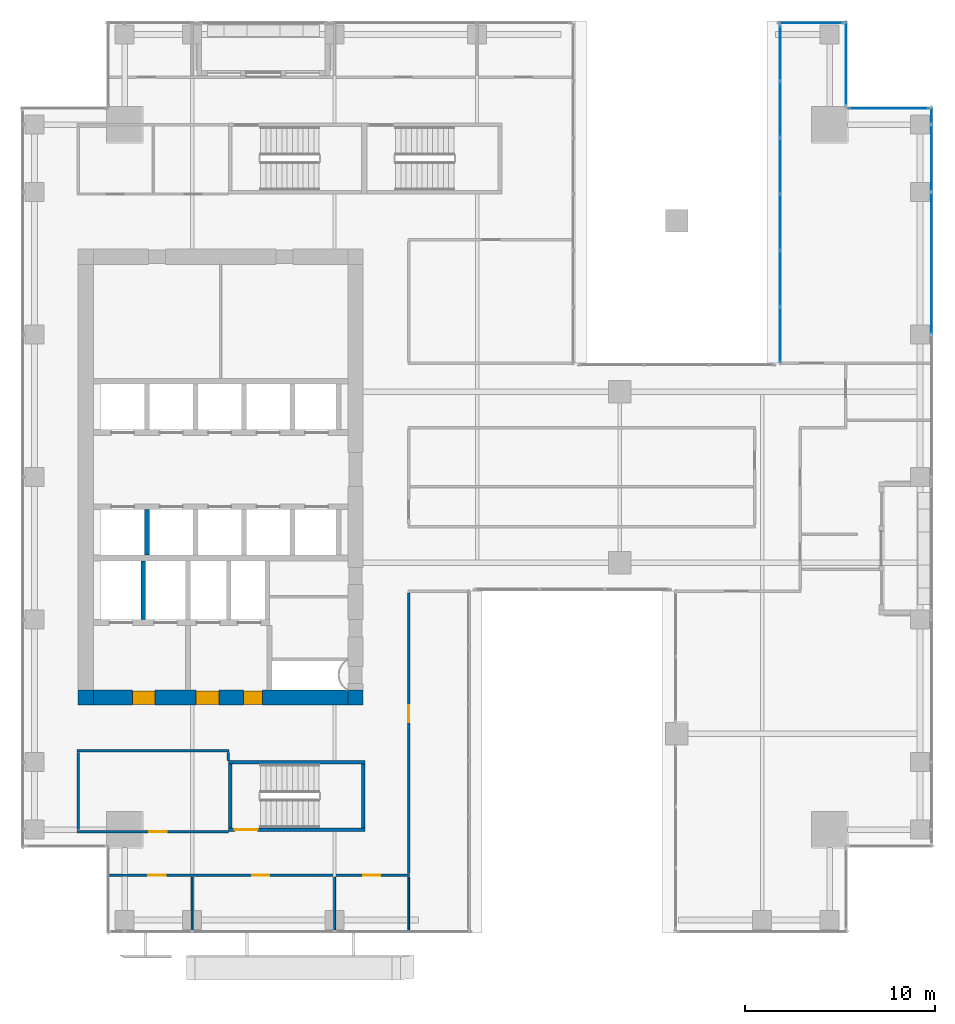
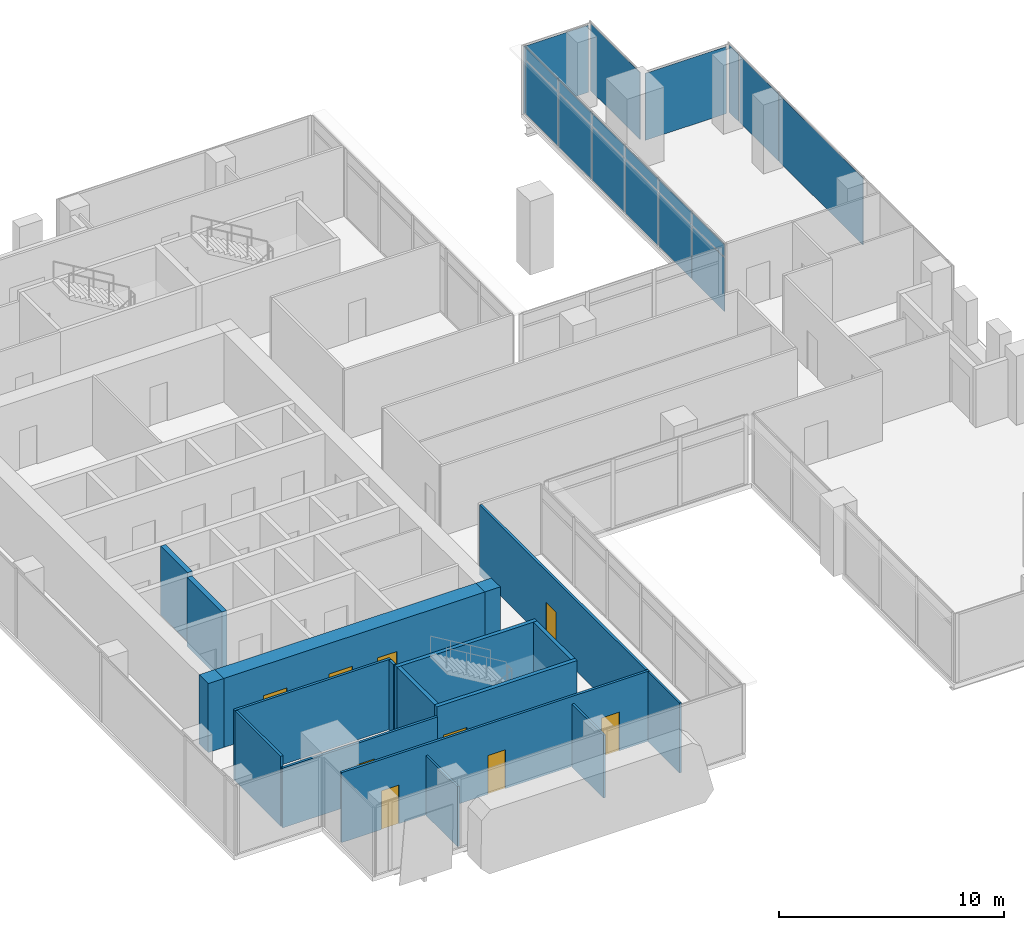
# One storey, part 32 of 38: 18 plates, 18 walls, 9 doors, 9 openings, 5 elements without a shape of their own.
"""IFC4 building model written with IfcOpenShell, lengths in metres."""

from ifc_helpers import new_model, si_unit, direction, frame, frame_2d, origin, origin_2d, place, context, subcontext, project, spatial, rectangle, extrude, source, transform, mapped, material, layer, layer_set, type_object, element, fill, aggregate, save


model = new_model("IFC4")

# Units and contexts
model_context = context("Model", 3, precision=1e-05, world=origin(), true_north=direction((0.0, 1.0)))
body_context = subcontext(model_context, "Body", "Model", "MODEL_VIEW")
ifc_project = project(units=[si_unit("LENGTHUNIT", "METRE"), si_unit("AREAUNIT", "SQUARE_METRE"), si_unit("VOLUMEUNIT", "CUBIC_METRE"), si_unit("PLANEANGLEUNIT", "RADIAN"), si_unit("MASSUNIT", "GRAM", prefix="KILO")], contexts=[model_context])

# Site, building, storey
site_placement = place(None, origin())
site = spatial("IfcSite", under=ifc_project, at=site_placement, CompositionType="ELEMENT")
building_placement = place(site_placement, origin())
building = spatial("IfcBuilding", under=site, at=building_placement, Name="Khomas Fold Tower", CompositionType="ELEMENT")
storey_placement = place(building_placement, frame((0.0, 0.0, 172.699951171875)))
storey = spatial("IfcBuildingStorey", under=building, at=storey_placement, Name="L37", CompositionType="ELEMENT", Elevation=172.699951171875)

# Curtain wall, plate
ifc_material_1 = material(Name="Aluminium framed double glazing", Category="aluminium")
curtain_wall_type_1 = type_object("IfcCurtainWallType", Name="SK-Unitised clear-glass wall, office floors CW2", PredefinedType="NOTDEFINED", material=ifc_material_1)
curtain_wall_1_placement = place(storey_placement, origin())
curtain_wall_1 = element("IfcCurtainWall", 1, at=curtain_wall_1_placement, inside=storey, type_object=curtain_wall_type_1, Name="CW2 corner return L37 10", PredefinedType="NOTDEFINED")
ifc_material_2 = material(Name="Clear double glazed unit")
ifc_layer_1 = layer(ifc_material_2, 0.030029296875)
ifc_layer_set_1 = layer_set([ifc_layer_1], Name="Clear double glazed unit")
plate_type_1 = type_object("IfcPlateType", Name="SK-Unitised clear-glass wall, office floors glass panel CW2-P", PredefinedType="CURTAIN_PANEL", material=ifc_layer_set_1)
shared_shape_1 = source(origin(), body_context, "Body", "SweptSolid", [
    extrude(rectangle(XDim=4.3798828125, YDim=0.030029296875, at=origin_2d()), origin(), (0.0, 0.0, 1.0), 3.639892578125),
])
plate_1_placement = place(storey_placement, frame((46.39990234375, 48.75, 0.0), z_axis=(0.0, 0.0, 1.0), x_axis=(0.0, 1.0, 0.0)))
plate_1 = element("IfcPlate", 2, at=plate_1_placement, type_object=plate_type_1, Name="CW2 glass panel 1", PredefinedType="CURTAIN_PANEL", context=body_context, shape_type="MappedRepresentation", body=[
    mapped(shared_shape_1, transform((0.0, 0.0, 0.0))),
])
aggregate(curtain_wall_1, [plate_1])

# Curtain wall, plates
curtain_wall_2_placement = place(storey_placement, origin())
curtain_wall_2 = element("IfcCurtainWall", 3, at=curtain_wall_2_placement, inside=storey, type_object=curtain_wall_type_1, Name="CW2 run L37 08-1", PredefinedType="NOTDEFINED")
shared_shape_2 = source(origin(), body_context, "Body", "SweptSolid", [
    extrude(rectangle(XDim=3.489990234375, YDim=0.030029296875, at=origin_2d()), origin(), (0.0, 0.0, 1.0), 3.639892578125),
])
plate_2_placement = place(storey_placement, frame((50.89990234375, 43.77490234375, 0.0), z_axis=(0.0, 0.0, 1.0), x_axis=(0.0, 1.0, 0.0)))
plate_2 = element("IfcPlate", 4, at=plate_2_placement, type_object=plate_type_1, Name="CW2 glass panel 4", PredefinedType="CURTAIN_PANEL", context=body_context, shape_type="MappedRepresentation", body=[
    mapped(shared_shape_2, transform((0.0, 0.0, 0.0))),
])
shared_shape_3 = source(origin(), body_context, "Body", "SweptSolid", [
    extrude(rectangle(XDim=7.43994140625, YDim=0.030029296875, at=origin_2d()), origin(), (0.0, 0.0, 1.0), 3.639892578125),
])
plate_3_placement = place(storey_placement, frame((50.89990234375, 38.25, 0.0), z_axis=(0.0, 0.0, 1.0), x_axis=(0.0, 1.0, 0.0)))
plate_3 = element("IfcPlate", 5, at=plate_3_placement, type_object=plate_type_1, Name="CW2 glass panel 3", PredefinedType="CURTAIN_PANEL", context=body_context, shape_type="MappedRepresentation", body=[
    mapped(shared_shape_3, transform((0.0, 0.0, 0.0))),
])

# Curtain wall, plate
curtain_wall_3_placement = place(storey_placement, origin())
curtain_wall_3 = element("IfcCurtainWall", 6, at=curtain_wall_3_placement, inside=storey, type_object=curtain_wall_type_1, Name="CW2 corner return L37 09", PredefinedType="NOTDEFINED")
shared_shape_4 = source(origin(), body_context, "Body", "SweptSolid", [
    extrude(rectangle(XDim=4.179931640625, YDim=0.030029296875, at=origin_2d()), origin(), (0.0, 0.0, 1.0), 3.639892578125),
])
plate_4_placement = place(storey_placement, frame((48.64990234375, 46.39990234375, 0.0), z_axis=(0.0, 0.0, 1.0), x_axis=(-1.0, 0.0, 0.0)))
plate_4 = element("IfcPlate", 7, at=plate_4_placement, type_object=plate_type_1, Name="CW2 glass panel 1", PredefinedType="CURTAIN_PANEL", context=body_context, shape_type="MappedRepresentation", body=[
    mapped(shared_shape_4, transform((0.0, 0.0, 0.0))),
])
aggregate(curtain_wall_3, [plate_4])

# Plate
shared_shape_5 = source(origin(), body_context, "Body", "SweptSolid", [
    extrude(rectangle(XDim=0.860107421875, YDim=0.030029296875, at=origin_2d()), origin(), (0.0, 0.0, 1.0), 3.639892578125),
])
plate_5_placement = place(storey_placement, frame((50.89990234375, 46.010009765625, 0.0), z_axis=(0.0, 0.0, 1.0), x_axis=(0.0, 1.0, 0.0)))
plate_5 = element("IfcPlate", 8, at=plate_5_placement, type_object=plate_type_1, Name="CW2 glass panel 5", PredefinedType="CURTAIN_PANEL", context=body_context, shape_type="MappedRepresentation", body=[
    mapped(shared_shape_5, transform((0.0, 0.0, 0.0))),
])

aggregate(curtain_wall_2, [plate_3, plate_2, plate_5])

# Curtain wall, plate
curtain_wall_4_placement = place(storey_placement, origin())
curtain_wall_4 = element("IfcCurtainWall", 9, at=curtain_wall_4_placement, inside=storey, type_object=curtain_wall_type_1, Name="CW2 corner return L37 11", PredefinedType="NOTDEFINED")
shared_shape_6 = source(origin(), body_context, "Body", "SweptSolid", [
    extrude(rectangle(XDim=3.330078125, YDim=0.030029296875, at=origin_2d()), origin(), (0.0, 0.0, 1.0), 3.639892578125),
])
plate_6_placement = place(storey_placement, frame((44.574951171875, 50.89990234375, 0.0), z_axis=(0.0, 0.0, 1.0), x_axis=(-1.0, 0.0, 0.0)))
plate_6 = element("IfcPlate", 10, at=plate_6_placement, type_object=plate_type_1, Name="CW2 glass panel 1", PredefinedType="CURTAIN_PANEL", context=body_context, shape_type="MappedRepresentation", body=[
    mapped(shared_shape_6, transform((0.0, 0.0, 0.0))),
])
aggregate(curtain_wall_4, [plate_6])

# Curtain wall, plates
ifc_material_3 = material(Name="Aluminium framed double glazing", Category="aluminium")
curtain_wall_type_2 = type_object("IfcCurtainWallType", Name="Notch glazing GN-CW", PredefinedType="NOTDEFINED", material=ifc_material_3)
curtain_wall_5_placement = place(storey_placement, origin())
curtain_wall_5 = element("IfcCurtainWall", 11, at=curtain_wall_5_placement, inside=storey, type_object=curtain_wall_type_2, Name="Notch glazing run", PredefinedType="NOTDEFINED")
ifc_material_4 = material(Name="Double glazed unit")
ifc_layer_2 = layer(ifc_material_4, 0.031982421875)
ifc_layer_set_2 = layer_set([ifc_layer_2], Name="Double glazed unit")
plate_type_2 = type_object("IfcPlateType", Name="Notch glazing panel GN-CW-P", PredefinedType="CURTAIN_PANEL", material=ifc_layer_set_2)
shared_shape_7 = source(origin(), body_context, "Body", "SweptSolid", [
    extrude(rectangle(XDim=2.876708984375, YDim=0.031982421875, at=origin_2d()), origin(), (0.0, 0.0, 1.0), 2.909912109375),
])
plate_7_placement = place(storey_placement, frame((42.949951171875, 49.3017578125, 0.06005859375), z_axis=(0.0, 0.0, 1.0), x_axis=(0.0, -1.0, 0.0)))
plate_7 = element("IfcPlate", 12, at=plate_7_placement, type_object=plate_type_2, Name="GN-CW panel 1.1", PredefinedType="CURTAIN_PANEL", context=body_context, shape_type="MappedRepresentation", body=[
    mapped(shared_shape_7, transform((0.0, 0.0, 0.0))),
])
plate_8_placement = place(storey_placement, frame((42.949951171875, 34.498291015625, 0.06005859375), z_axis=(0.0, 0.0, 1.0), x_axis=(0.0, -1.0, 0.0)))
plate_8 = element("IfcPlate", 13, at=plate_8_placement, type_object=plate_type_2, Name="GN-CW panel 6.1", PredefinedType="CURTAIN_PANEL", context=body_context, shape_type="MappedRepresentation", body=[
    mapped(shared_shape_7, transform((0.0, 0.0, 0.0))),
])
shared_shape_8 = source(origin(), body_context, "Body", "SweptSolid", [
    extrude(rectangle(XDim=2.90673828125, YDim=0.031982421875, at=origin_2d()), origin(), (0.0, 0.0, 1.0), 2.909912109375),
])
plate_9_placement = place(storey_placement, frame((42.949951171875, 46.35009765625, 0.06005859375), z_axis=(0.0, 0.0, 1.0), x_axis=(0.0, -1.0, 0.0)))
plate_9 = element("IfcPlate", 14, at=plate_9_placement, type_object=plate_type_2, Name="GN-CW panel 2.1", PredefinedType="CURTAIN_PANEL", context=body_context, shape_type="MappedRepresentation", body=[
    mapped(shared_shape_8, transform((0.0, 0.0, 0.0))),
])
plate_10_placement = place(storey_placement, frame((42.949951171875, 43.38330078125, 0.06005859375), z_axis=(0.0, 0.0, 1.0), x_axis=(0.0, -1.0, 0.0)))
plate_10 = element("IfcPlate", 15, at=plate_10_placement, type_object=plate_type_2, Name="GN-CW panel 3.1", PredefinedType="CURTAIN_PANEL", context=body_context, shape_type="MappedRepresentation", body=[
    mapped(shared_shape_8, transform((0.0, 0.0, 0.0))),
])
plate_11_placement = place(storey_placement, frame((42.949951171875, 40.416748046875, 0.06005859375), z_axis=(0.0, 0.0, 1.0), x_axis=(0.0, -1.0, 0.0)))
plate_11 = element("IfcPlate", 16, at=plate_11_placement, type_object=plate_type_2, Name="GN-CW panel 4.1", PredefinedType="CURTAIN_PANEL", context=body_context, shape_type="MappedRepresentation", body=[
    mapped(shared_shape_8, transform((0.0, 0.0, 0.0))),
])
plate_12_placement = place(storey_placement, frame((42.949951171875, 37.449951171875, 0.06005859375), z_axis=(0.0, 0.0, 1.0), x_axis=(0.0, -1.0, 0.0)))
plate_12 = element("IfcPlate", 17, at=plate_12_placement, type_object=plate_type_2, Name="GN-CW panel 5.1", PredefinedType="CURTAIN_PANEL", context=body_context, shape_type="MappedRepresentation", body=[
    mapped(shared_shape_8, transform((0.0, 0.0, 0.0))),
])
shared_shape_9 = source(origin(), body_context, "Body", "SweptSolid", [
    extrude(rectangle(XDim=2.876708984375, YDim=0.031982421875, at=origin_2d()), origin(), (0.0, 0.0, 1.0), 0.659912109375),
])
plate_13_placement = place(storey_placement, frame((42.949951171875, 49.3017578125, 3.0302734375), z_axis=(0.0, 0.0, 1.0), x_axis=(0.0, -1.0, 0.0)))
plate_13 = element("IfcPlate", 18, at=plate_13_placement, type_object=plate_type_2, Name="GN-CW panel 1.2", PredefinedType="CURTAIN_PANEL", context=body_context, shape_type="MappedRepresentation", body=[
    mapped(shared_shape_9, transform((0.0, 0.0, 0.0))),
])
plate_14_placement = place(storey_placement, frame((42.949951171875, 34.498291015625, 3.0302734375), z_axis=(0.0, 0.0, 1.0), x_axis=(0.0, -1.0, 0.0)))
plate_14 = element("IfcPlate", 19, at=plate_14_placement, type_object=plate_type_2, Name="GN-CW panel 6.2", PredefinedType="CURTAIN_PANEL", context=body_context, shape_type="MappedRepresentation", body=[
    mapped(shared_shape_9, transform((0.0, 0.0, 0.0))),
])
shared_shape_10 = source(origin(), body_context, "Body", "SweptSolid", [
    extrude(rectangle(XDim=2.90673828125, YDim=0.031982421875, at=origin_2d()), origin(), (0.0, 0.0, 1.0), 0.659912109375),
])
plate_15_placement = place(storey_placement, frame((42.949951171875, 46.35009765625, 3.0302734375), z_axis=(0.0, 0.0, 1.0), x_axis=(0.0, -1.0, 0.0)))
plate_15 = element("IfcPlate", 20, at=plate_15_placement, type_object=plate_type_2, Name="GN-CW panel 2.2", PredefinedType="CURTAIN_PANEL", context=body_context, shape_type="MappedRepresentation", body=[
    mapped(shared_shape_10, transform((0.0, 0.0, 0.0))),
])
plate_16_placement = place(storey_placement, frame((42.949951171875, 43.38330078125, 3.0302734375), z_axis=(0.0, 0.0, 1.0), x_axis=(0.0, -1.0, 0.0)))
plate_16 = element("IfcPlate", 21, at=plate_16_placement, type_object=plate_type_2, Name="GN-CW panel 3.2", PredefinedType="CURTAIN_PANEL", context=body_context, shape_type="MappedRepresentation", body=[
    mapped(shared_shape_10, transform((0.0, 0.0, 0.0))),
])
plate_17_placement = place(storey_placement, frame((42.949951171875, 40.416748046875, 3.0302734375), z_axis=(0.0, 0.0, 1.0), x_axis=(0.0, -1.0, 0.0)))
plate_17 = element("IfcPlate", 22, at=plate_17_placement, type_object=plate_type_2, Name="GN-CW panel 4.2", PredefinedType="CURTAIN_PANEL", context=body_context, shape_type="MappedRepresentation", body=[
    mapped(shared_shape_10, transform((0.0, 0.0, 0.0))),
])
plate_18_placement = place(storey_placement, frame((42.949951171875, 37.449951171875, 3.0302734375), z_axis=(0.0, 0.0, 1.0), x_axis=(0.0, -1.0, 0.0)))
plate_18 = element("IfcPlate", 23, at=plate_18_placement, type_object=plate_type_2, Name="GN-CW panel 5.2", PredefinedType="CURTAIN_PANEL", context=body_context, shape_type="MappedRepresentation", body=[
    mapped(shared_shape_10, transform((0.0, 0.0, 0.0))),
])
aggregate(curtain_wall_5, [plate_7, plate_13, plate_9, plate_15, plate_10, plate_16, plate_11, plate_17, plate_12, plate_18, plate_8, plate_14])

# Wall, openings, doors
ifc_material_5 = material(Name="Concrete C60/75", Category="concrete")
ifc_layer_3 = layer(ifc_material_5, 0.800048828125)
ifc_layer_set_3 = layer_set([ifc_layer_3], Name="Concrete C60/75")
wall_type_1 = type_object("IfcWallType", Name="Core wall 800", PredefinedType="SHEAR", material=ifc_layer_set_3)
shared_shape_11 = source(origin(), body_context, "Body", "SweptSolid", [
    extrude(rectangle(XDim=13.39990234375, YDim=0.800048828125, at=frame_2d((6.699951171875, 0.0))), origin(), (0.0, 0.0, 1.0), 3.75),
])
wall_1_placement = place(storey_placement, frame((6.800048828125, 15.39990234375, 0.0), z_axis=(0.0, 0.0, 1.0), x_axis=(1.0, 0.0, 0.0)))
wall_1 = element("IfcWall", 24, at=wall_1_placement, inside=storey, type_object=wall_type_1, Name="Core wall CW-U-S-L35", PredefinedType="SHEAR", context=body_context, shape_type="MappedRepresentation", body=[
    mapped(shared_shape_11, transform((0.0, 0.0, 0.0))),
])
shared_shape_12 = source(origin(), body_context, "Body", "SweptSolid", [
    extrude(rectangle(XDim=1.199951171875, YDim=2.10009765625, at=frame_2d((0.60009765625, 1.050048828125))), frame((0.0, 0.409912109375, 0.0), z_axis=(0.0, -1.0, 0.0), x_axis=(1.0, 0.0, 0.0)), (0.0, 0.0, 1.0), 0.820068359375),
])
opening_1_placement = place(wall_1_placement, frame((5.39990234375, 0.0, 0.0)))
opening_1 = element("IfcOpeningElement", 25, at=opening_1_placement, cuts=wall_1, Name="Opening 0009", PredefinedType="OPENING", context=body_context, shape_type="MappedRepresentation", body=[
    mapped(shared_shape_12, transform((0.0, 0.0, 0.0))),
])
opening_2_placement = place(wall_1_placement, frame((2.050048828125, 0.0, 0.0)))
opening_2 = element("IfcOpeningElement", 26, at=opening_2_placement, cuts=wall_1, Name="Opening 0009", PredefinedType="OPENING", context=body_context, shape_type="MappedRepresentation", body=[
    mapped(shared_shape_12, transform((0.0, 0.0, 0.0))),
])
shared_shape_13 = source(origin(), body_context, "Body", "SweptSolid", [
    extrude(rectangle(XDim=1.0, YDim=2.10009765625, at=frame_2d((0.5, 1.050048828125))), frame((0.0, 0.409912109375, 0.0), z_axis=(0.0, -1.0, 0.0), x_axis=(1.0, 0.0, 0.0)), (0.0, 0.0, 1.0), 0.820068359375),
])
opening_3_placement = place(wall_1_placement, frame((7.89990234375, 0.0, 0.0)))
opening_3 = element("IfcOpeningElement", 27, at=opening_3_placement, cuts=wall_1, Name="Opening 0010", PredefinedType="OPENING", context=body_context, shape_type="MappedRepresentation", body=[
    mapped(shared_shape_13, transform((0.0, 0.0, 0.0))),
])
ifc_material_6 = material(Name="Steel door leaf", Category="steel")
door_type_1 = type_object("IfcDoorType", Name="Lobby door 1200x2100 right-hand", OperationType="SINGLE_SWING_RIGHT", PredefinedType="DOOR", material=ifc_material_6)
shared_shape_14 = source(origin(), body_context, "Body", "SweptSolid", [
    extrude(rectangle(XDim=1.199951171875, YDim=2.10009765625, at=frame_2d((0.60009765625, 1.050048828125))), frame((0.0, 0.35009765625, 0.0), z_axis=(0.0, -1.0, 0.0), x_axis=(1.0, 0.0, 0.0)), (0.0, 0.0, 1.0), 0.699951171875),
])
door_1_placement = place(opening_1_placement, origin())
door_1 = element("IfcDoor", 28, at=door_1_placement, inside=storey, type_object=door_type_1, Name="Lobby door", OperationType="SINGLE_SWING_RIGHT", OverallHeight=2.10009765625, OverallWidth=1.199951171875, PredefinedType="DOOR", context=body_context, shape_type="MappedRepresentation", body=[
    mapped(shared_shape_14, transform((0.0, 0.0, 0.0))),
])
fill(opening_1, door_1)
door_2_placement = place(opening_2_placement, origin())
door_2 = element("IfcDoor", 29, at=door_2_placement, inside=storey, type_object=door_type_1, Name="Lobby door", OperationType="SINGLE_SWING_RIGHT", OverallHeight=2.10009765625, OverallWidth=1.199951171875, PredefinedType="DOOR", context=body_context, shape_type="MappedRepresentation", body=[
    mapped(shared_shape_14, transform((0.0, 0.0, 0.0))),
])
fill(opening_2, door_2)
ifc_material_7 = material(Name="Steel door leaf", Category="steel")
door_type_2 = type_object("IfcDoorType", Name="Stair door 1000x2100 right-hand", OperationType="SINGLE_SWING_RIGHT", PredefinedType="DOOR", material=ifc_material_7)
shared_shape_15 = source(origin(), body_context, "Body", "SweptSolid", [
    extrude(rectangle(XDim=1.0, YDim=2.10009765625, at=frame_2d((0.5, 1.050048828125))), frame((0.0, 0.35009765625, 0.0), z_axis=(0.0, -1.0, 0.0), x_axis=(1.0, 0.0, 0.0)), (0.0, 0.0, 1.0), 0.699951171875),
])
door_3_placement = place(opening_3_placement, origin())
door_3 = element("IfcDoor", 30, at=door_3_placement, inside=storey, type_object=door_type_2, Name="Stair door", OperationType="SINGLE_SWING_RIGHT", OverallHeight=2.10009765625, OverallWidth=1.0, PredefinedType="DOOR", context=body_context, shape_type="MappedRepresentation", body=[
    mapped(shared_shape_15, transform((0.0, 0.0, 0.0))),
])
fill(opening_3, door_3)

# Walls
ifc_material_8 = material(Name="Concrete C60/75", Category="concrete")
ifc_layer_4 = layer(ifc_material_8, 0.800048828125)
ifc_layer_set_4 = layer_set([ifc_layer_4], Name="Concrete C60/75")
wall_type_2 = type_object("IfcWallType", Name="Core corner wall 800", PredefinedType="SHEAR", material=ifc_layer_set_4)
shared_shape_16 = source(origin(), body_context, "Body", "SweptSolid", [
    extrude(rectangle(XDim=0.800048828125, YDim=0.800048828125, at=frame_2d((0.39990234375, 0.0))), origin(), (0.0, 0.0, 1.0), 3.75),
])
for number, where, z_axis, x_axis, name in (
    (31, (20.199951171875, 15.39990234375, 0.0), (0.0, 0.0, 1.0), (1.0, 0.0, 0.0), "Core wall CW-U-SE-L35"),
    (32, (6.0, 15.39990234375, 0.0), (0.0, 0.0, 1.0), (1.0, 0.0, 0.0), "Core wall CW-U-SW-L35"),
):
    element("IfcWall", number, at=place(storey_placement, frame(where, z_axis=z_axis, x_axis=x_axis)), inside=storey, type_object=wall_type_2, Name=name, PredefinedType="SHEAR", context=body_context, shape_type="MappedRepresentation", body=[
        mapped(shared_shape_16, transform((0.0, 0.0, 0.0))),
    ])
ifc_material_9 = material(Name="Concrete C50/60", Category="concrete")
ifc_layer_5 = layer(ifc_material_9, 0.199951171875)
ifc_layer_set_5 = layer_set([ifc_layer_5], Name="Concrete C50/60")
wall_type_3 = type_object("IfcWallType", Name="Stair wall 200", PredefinedType="SHEAR", material=ifc_layer_set_5)
shared_shape_17 = source(origin(), body_context, "Body", "SweptSolid", [
    extrude(rectangle(XDim=7.2001953125, YDim=0.199951171875, at=frame_2d((3.60009765625, 0.0))), origin(), (0.0, 0.0, 1.0), 3.75),
])
wall_2_placement = place(storey_placement, frame((13.89990234375, 12.0, 0.0), z_axis=(0.0, 0.0, 1.0), x_axis=(1.0, 0.0, 0.0)))
element("IfcWall", 33, at=wall_2_placement, inside=storey, type_object=wall_type_3, Name="Stair wall SW-ST2-NH", PredefinedType="SHEAR", context=body_context, shape_type="MappedRepresentation", body=[
    mapped(shared_shape_17, transform((0.0, 0.0, 0.0))),
])

# Wall, opening, door
wall_3_placement = place(storey_placement, frame((13.89990234375, 8.449951171875, 0.0), z_axis=(0.0, 0.0, 1.0), x_axis=(1.0, 0.0, 0.0)))
wall_3 = element("IfcWall", 34, at=wall_3_placement, inside=storey, type_object=wall_type_3, Name="Stair wall SW-ST2-S", PredefinedType="SHEAR", context=body_context, shape_type="MappedRepresentation", body=[
    mapped(shared_shape_17, transform((0.0, 0.0, 0.0))),
])
shared_shape_18 = source(origin(), body_context, "Body", "SweptSolid", [
    extrude(rectangle(XDim=1.199951171875, YDim=2.10009765625, at=frame_2d((0.60009765625, 1.050048828125))), frame((0.0, 0.10986328125, 0.0), z_axis=(0.0, -1.0, 0.0), x_axis=(1.0, 0.0, 0.0)), (0.0, 0.0, 1.0), 0.219970703125),
])
opening_4_placement = place(wall_3_placement, frame((0.35009765625, 0.0, 0.0)))
opening_4 = element("IfcOpeningElement", 35, at=opening_4_placement, cuts=wall_3, Name="Opening SD-ST2", PredefinedType="OPENING", context=body_context, shape_type="MappedRepresentation", body=[
    mapped(shared_shape_18, transform((0.0, 0.0, 0.0))),
])
ifc_material_10 = material(Name="Steel door leaf", Category="steel")
door_type_3 = type_object("IfcDoorType", Name="Stair door 1200x2100 right-hand", OperationType="SINGLE_SWING_RIGHT", PredefinedType="DOOR", material=ifc_material_10)
shared_shape_19 = source(origin(), body_context, "Body", "SweptSolid", [
    extrude(rectangle(XDim=1.199951171875, YDim=2.10009765625, at=frame_2d((0.60009765625, 1.050048828125))), frame((0.0, 0.02490234375, 0.0), z_axis=(0.0, -1.0, 0.0), x_axis=(1.0, 0.0, 0.0)), (0.0, 0.0, 1.0), 0.050048828125),
])
door_4_placement = place(opening_4_placement, origin())
door_4 = element("IfcDoor", 36, at=door_4_placement, inside=storey, type_object=door_type_3, Name="Stair door", OperationType="SINGLE_SWING_RIGHT", OverallHeight=2.10009765625, OverallWidth=1.199951171875, PredefinedType="DOOR", context=body_context, shape_type="MappedRepresentation", body=[
    mapped(shared_shape_19, transform((0.0, 0.0, 0.0))),
])
fill(opening_4, door_4)

# Walls
shared_shape_20 = source(origin(), body_context, "Body", "SweptSolid", [
    extrude(rectangle(XDim=3.349853515625, YDim=0.199951171875, at=frame_2d((1.6748046875, 0.0))), origin(), (0.0, 0.0, 1.0), 3.75),
])
for number, where, z_axis, x_axis, name in (
    (37, (21.0, 8.550048828125, 0.0), (0.0, 0.0, 1.0), (0.0, 1.0, 0.0), "Stair wall SW-ST2-E"),
    (38, (14.0, 8.550048828125, 0.0), (0.0, 0.0, 1.0), (0.0, 1.0, 0.0), "Stair wall SW-ST2-W"),
):
    element("IfcWall", number, at=place(storey_placement, frame(where, z_axis=z_axis, x_axis=x_axis)), inside=storey, type_object=wall_type_3, Name=name, PredefinedType="SHEAR", context=body_context, shape_type="MappedRepresentation", body=[
        mapped(shared_shape_20, transform((0.0, 0.0, 0.0))),
    ])
ifc_material_11 = material(Name="Concrete C50/60", Category="concrete")
ifc_layer_6 = layer(ifc_material_11, 0.25)
ifc_layer_set_6 = layer_set([ifc_layer_6], Name="Concrete C50/60")
wall_type_4 = type_object("IfcWallType", Name="Shaft wall 250", PredefinedType="STANDARD", material=ifc_layer_set_6)
shared_shape_21 = source(origin(), body_context, "Body", "SweptSolid", [
    extrude(rectangle(XDim=3.10009765625, YDim=0.25, at=frame_2d((1.550048828125, 0.0))), origin(), (0.0, 0.0, 1.0), 3.75),
])
wall_4_placement = place(storey_placement, frame((9.425048828125, 19.5, 0.0), z_axis=(0.0, 0.0, 1.0), x_axis=(0.0, 1.0, 0.0)))
element("IfcWall", 39, at=wall_4_placement, inside=storey, type_object=wall_type_4, Name="Core wall SW-FS-P1", PredefinedType="STANDARD", context=body_context, shape_type="MappedRepresentation", body=[
    mapped(shared_shape_21, transform((0.0, 0.0, 0.0))),
])
shared_shape_22 = source(origin(), body_context, "Body", "SweptSolid", [
    extrude(rectangle(XDim=2.400146484375, YDim=0.25, at=frame_2d((1.2001953125, 0.0))), origin(), (0.0, 0.0, 1.0), 3.75),
])
wall_5_placement = place(storey_placement, frame((9.625, 22.89990234375, 0.0), z_axis=(0.0, 0.0, 1.0), x_axis=(0.0, 1.0, 0.0)))
element("IfcWall", 40, at=wall_5_placement, inside=storey, type_object=wall_type_4, Name="Core wall SW-HRS-P1", PredefinedType="STANDARD", context=body_context, shape_type="MappedRepresentation", body=[
    mapped(shared_shape_22, transform((0.0, 0.0, 0.0))),
])
ifc_material_12 = material(Name="Plasterboard partition")
ifc_layer_7 = layer(ifc_material_12, 0.10009765625)
ifc_layer_set_7 = layer_set([ifc_layer_7], Name="Plasterboard partition")
wall_type_5 = type_object("IfcWallType", Name="Partition PW1 100", PredefinedType="PARTITIONING", material=ifc_layer_set_7)
shared_shape_23 = source(origin(), body_context, "Body", "SweptSolid", [
    extrude(rectangle(XDim=2.800048828125, YDim=0.10009765625, at=frame_2d((1.39990234375, 0.0))), origin(), (0.0, 0.0, 1.0), 3.25),
])
wall_6_placement = place(storey_placement, frame((12.0, 3.14990234375, 0.0), z_axis=(0.0, 0.0, 1.0), x_axis=(0.0, 1.0, 0.0)))
element("IfcWall", 41, at=wall_6_placement, inside=storey, type_object=wall_type_5, Name="Partition", PredefinedType="PARTITIONING", context=body_context, shape_type="MappedRepresentation", body=[
    mapped(shared_shape_23, transform((0.0, 0.0, 0.0))),
])
shared_shape_24 = source(origin(), body_context, "Body", "SweptSolid", [
    extrude(rectangle(XDim=2.800048828125, YDim=0.10009765625, at=frame_2d((1.39990234375, 0.0))), origin(), (0.0, 0.0, 1.0), 3.420166015625),
])
wall_7_placement = place(storey_placement, frame((19.5, 3.14990234375, 0.0), z_axis=(0.0, 0.0, 1.0), x_axis=(0.0, 1.0, 0.0)))
element("IfcWall", 42, at=wall_7_placement, inside=storey, type_object=wall_type_5, Name="Partition", PredefinedType="PARTITIONING", context=body_context, shape_type="MappedRepresentation", body=[
    mapped(shared_shape_24, transform((0.0, 0.0, 0.0))),
])

# Wall, opening, door
ifc_material_13 = material(Name="Plasterboard partition")
ifc_layer_8 = layer(ifc_material_13, 0.125)
ifc_layer_set_8 = layer_set([ifc_layer_8], Name="Plasterboard partition")
wall_type_6 = type_object("IfcWallType", Name="Partition PW2 125", PredefinedType="PARTITIONING", material=ifc_layer_set_8)
shared_shape_25 = source(origin(), body_context, "Body", "SweptSolid", [
    extrude(rectangle(XDim=7.949951171875, YDim=0.125, at=frame_2d((3.97509765625, 0.0))), origin(), (0.0, 0.0, 1.0), 3.25),
])
wall_8_placement = place(storey_placement, frame((5.949951171875, 8.35009765625, 0.0), z_axis=(0.0, 0.0, 1.0), x_axis=(1.0, 0.0, 0.0)))
wall_8 = element("IfcWall", 43, at=wall_8_placement, inside=storey, type_object=wall_type_6, Name="Partition", PredefinedType="PARTITIONING", context=body_context, shape_type="MappedRepresentation", body=[
    mapped(shared_shape_25, transform((0.0, 0.0, 0.0))),
])
shared_shape_26 = source(origin(), body_context, "Body", "SweptSolid", [
    extrude(rectangle(XDim=0.89990234375, YDim=2.10009765625, at=frame_2d((0.449951171875, 1.050048828125))), frame((0.0, 0.072509765625, 0.0), z_axis=(0.0, -1.0, 0.0), x_axis=(1.0, 0.0, 0.0)), (0.0, 0.0, 1.0), 0.14501953125),
])
opening_5_placement = place(wall_8_placement, frame((3.800048828125, 0.0, 0.0)))
opening_5 = element("IfcOpeningElement", 44, at=opening_5_placement, cuts=wall_8, Name="Opening 0007", PredefinedType="OPENING", context=body_context, shape_type="MappedRepresentation", body=[
    mapped(shared_shape_26, transform((0.0, 0.0, 0.0))),
])
ifc_material_14 = material(Name="Timber door leaf", Category="wood")
door_type_4 = type_object("IfcDoorType", Name="Door 900x2100 left-hand", OperationType="SINGLE_SWING_LEFT", PredefinedType="DOOR", material=ifc_material_14)
shared_shape_27 = source(origin(), body_context, "Body", "SweptSolid", [
    extrude(rectangle(XDim=0.89990234375, YDim=2.10009765625, at=frame_2d((0.449951171875, 1.050048828125))), frame((0.0, 0.02490234375, 0.0), z_axis=(0.0, -1.0, 0.0), x_axis=(1.0, 0.0, 0.0)), (0.0, 0.0, 1.0), 0.050048828125),
])
door_5_placement = place(opening_5_placement, origin())
door_5 = element("IfcDoor", 45, at=door_5_placement, inside=storey, type_object=door_type_4, Name="Door", OperationType="SINGLE_SWING_LEFT", OverallHeight=2.10009765625, OverallWidth=0.89990234375, PredefinedType="DOOR", context=body_context, shape_type="MappedRepresentation", body=[
    mapped(shared_shape_27, transform((0.0, 0.0, 0.0))),
])
fill(opening_5, door_5)

# Walls
shared_shape_28 = source(origin(), body_context, "Body", "SweptSolid", [
    extrude(rectangle(XDim=4.050048828125, YDim=0.125, at=frame_2d((2.02490234375, 0.0))), origin(), (0.0, 0.0, 1.0), 3.800048828125),
])
wall_9_placement = place(storey_placement, frame((6.0, 8.449951171875, 0.0), z_axis=(0.0, 0.0, 1.0), x_axis=(0.0, 1.0, 0.0)))
element("IfcWall", 46, at=wall_9_placement, inside=storey, type_object=wall_type_6, Name="Partition", PredefinedType="PARTITIONING", context=body_context, shape_type="MappedRepresentation", body=[
    mapped(shared_shape_28, transform((0.0, 0.0, 0.0))),
])
shared_shape_29 = source(origin(), body_context, "Body", "SweptSolid", [
    extrude(rectangle(XDim=0.39990234375, YDim=0.125, at=frame_2d((0.199951171875, 0.0))), origin(), (0.0, 0.0, 1.0), 3.800048828125),
])
wall_10_placement = place(storey_placement, frame((13.89990234375, 12.10009765625, 0.0), z_axis=(0.0, 0.0, 1.0), x_axis=(0.0, 1.0, 0.0)))
element("IfcWall", 47, at=wall_10_placement, inside=storey, type_object=wall_type_6, Name="Partition", PredefinedType="PARTITIONING", context=body_context, shape_type="MappedRepresentation", body=[
    mapped(shared_shape_29, transform((0.0, 0.0, 0.0))),
])
shared_shape_30 = source(origin(), body_context, "Body", "SweptSolid", [
    extrude(rectangle(XDim=8.0, YDim=0.125, at=frame_2d((4.0, 0.0))), origin(), (0.0, 0.0, 1.0), 3.800048828125),
])
wall_11_placement = place(storey_placement, frame((5.949951171875, 12.60009765625, 0.0), z_axis=(0.0, 0.0, 1.0), x_axis=(1.0, 0.0, 0.0)))
element("IfcWall", 48, at=wall_11_placement, inside=storey, type_object=wall_type_6, Name="Partition", PredefinedType="PARTITIONING", context=body_context, shape_type="MappedRepresentation", body=[
    mapped(shared_shape_30, transform((0.0, 0.0, 0.0))),
])
shared_shape_31 = source(origin(), body_context, "Body", "SweptSolid", [
    extrude(rectangle(XDim=2.800048828125, YDim=0.10009765625, at=frame_2d((1.39990234375, 0.0))), origin(), (0.0, 0.0, 1.0), 3.800048828125),
])
wall_12_placement = place(storey_placement, frame((23.39990234375, 3.14990234375, 0.0), z_axis=(0.0, 0.0, 1.0), x_axis=(0.0, 1.0, 0.0)))
element("IfcWall", 49, at=wall_12_placement, inside=storey, type_object=wall_type_5, Name="Partition", PredefinedType="PARTITIONING", context=body_context, shape_type="MappedRepresentation", body=[
    mapped(shared_shape_31, transform((0.0, 0.0, 0.0))),
])

# Wall, openings, doors
shared_shape_32 = source(origin(), body_context, "Body", "SweptSolid", [
    extrude(rectangle(XDim=15.800048828125, YDim=0.125, at=frame_2d((7.89990234375, 0.0))), origin(), (0.0, 0.0, 1.0), 3.800048828125),
])
wall_13_placement = place(storey_placement, frame((7.64990234375, 6.050048828125, 0.0), z_axis=(0.0, 0.0, 1.0), x_axis=(1.0, 0.0, 0.0)))
wall_13 = element("IfcWall", 50, at=wall_13_placement, inside=storey, type_object=wall_type_6, Name="Partition", PredefinedType="PARTITIONING", context=body_context, shape_type="MappedRepresentation", body=[
    mapped(shared_shape_32, transform((0.0, 0.0, 0.0))),
])
opening_6_placement = place(wall_13_placement, frame((2.050048828125, 0.0, 0.0)))
opening_6 = element("IfcOpeningElement", 51, at=opening_6_placement, cuts=wall_13, Name="Opening 0008", PredefinedType="OPENING", context=body_context, shape_type="MappedRepresentation", body=[
    mapped(shared_shape_26, transform((0.0, 0.0, 0.0))),
])
opening_7_placement = place(wall_13_placement, frame((7.5, 0.0, 0.0)))
opening_7 = element("IfcOpeningElement", 52, at=opening_7_placement, cuts=wall_13, Name="Opening 0007", PredefinedType="OPENING", context=body_context, shape_type="MappedRepresentation", body=[
    mapped(shared_shape_26, transform((0.0, 0.0, 0.0))),
])
opening_8_placement = place(wall_13_placement, frame((13.35009765625, 0.0, 0.0)))
opening_8 = element("IfcOpeningElement", 53, at=opening_8_placement, cuts=wall_13, Name="Opening 0008", PredefinedType="OPENING", context=body_context, shape_type="MappedRepresentation", body=[
    mapped(shared_shape_26, transform((0.0, 0.0, 0.0))),
])
ifc_material_15 = material(Name="Timber door leaf", Category="wood")
door_type_5 = type_object("IfcDoorType", Name="Door 900x2100 right-hand", OperationType="SINGLE_SWING_RIGHT", PredefinedType="DOOR", material=ifc_material_15)
door_6_placement = place(opening_6_placement, origin())
door_6 = element("IfcDoor", 54, at=door_6_placement, inside=storey, type_object=door_type_5, Name="Door", OperationType="SINGLE_SWING_RIGHT", OverallHeight=2.10009765625, OverallWidth=0.89990234375, PredefinedType="DOOR", context=body_context, shape_type="MappedRepresentation", body=[
    mapped(shared_shape_27, transform((0.0, 0.0, 0.0))),
])
fill(opening_6, door_6)
door_7_placement = place(opening_7_placement, origin())
door_7 = element("IfcDoor", 55, at=door_7_placement, inside=storey, type_object=door_type_4, Name="Door", OperationType="SINGLE_SWING_LEFT", OverallHeight=2.10009765625, OverallWidth=0.89990234375, PredefinedType="DOOR", context=body_context, shape_type="MappedRepresentation", body=[
    mapped(shared_shape_27, transform((0.0, 0.0, 0.0))),
])
fill(opening_7, door_7)
door_8_placement = place(opening_8_placement, origin())
door_8 = element("IfcDoor", 56, at=door_8_placement, inside=storey, type_object=door_type_5, Name="Door", OperationType="SINGLE_SWING_RIGHT", OverallHeight=2.10009765625, OverallWidth=0.89990234375, PredefinedType="DOOR", context=body_context, shape_type="MappedRepresentation", body=[
    mapped(shared_shape_27, transform((0.0, 0.0, 0.0))),
])
fill(opening_8, door_8)

# Wall, opening, door
shared_shape_33 = source(origin(), body_context, "Body", "SweptSolid", [
    extrude(rectangle(XDim=14.75, YDim=0.125, at=frame_2d((7.375, 0.0))), origin(), (0.0, 0.0, 1.0), 3.800048828125),
])
wall_14_placement = place(storey_placement, frame((23.39990234375, 6.14990234375, 0.0), z_axis=(0.0, 0.0, 1.0), x_axis=(0.0, 1.0, 0.0)))
wall_14 = element("IfcWall", 57, at=wall_14_placement, inside=storey, type_object=wall_type_6, Name="Partition", PredefinedType="PARTITIONING", context=body_context, shape_type="MappedRepresentation", body=[
    mapped(shared_shape_33, transform((0.0, 0.0, 0.0))),
])
opening_9_placement = place(wall_14_placement, frame((7.949951171875, 0.0, 0.0)))
opening_9 = element("IfcOpeningElement", 58, at=opening_9_placement, cuts=wall_14, Name="Opening 0007", PredefinedType="OPENING", context=body_context, shape_type="MappedRepresentation", body=[
    mapped(shared_shape_26, transform((0.0, 0.0, 0.0))),
])
door_9_placement = place(opening_9_placement, origin())
door_9 = element("IfcDoor", 59, at=door_9_placement, inside=storey, type_object=door_type_4, Name="Door", OperationType="SINGLE_SWING_LEFT", OverallHeight=2.10009765625, OverallWidth=0.89990234375, PredefinedType="DOOR", context=body_context, shape_type="MappedRepresentation", body=[
    mapped(shared_shape_27, transform((0.0, 0.0, 0.0))),
])
fill(opening_9, door_9)

save(model, "model.ifc")
